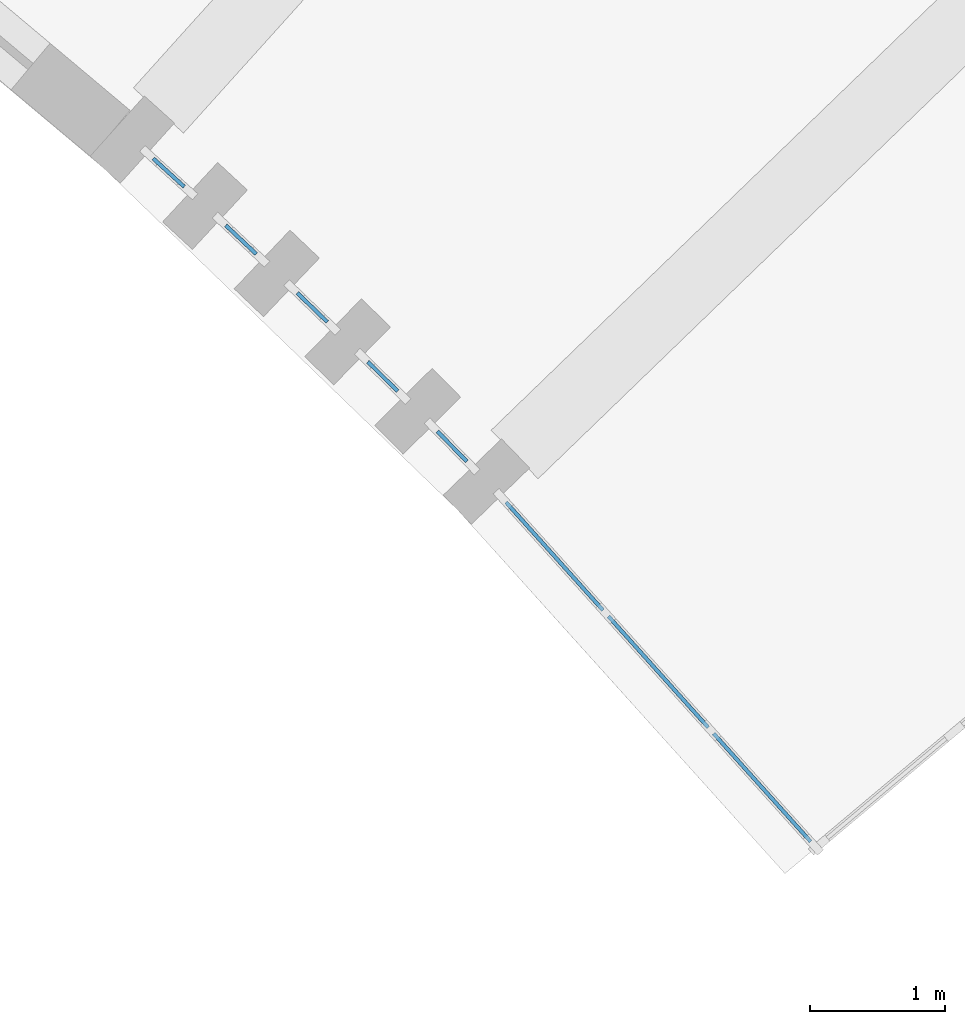
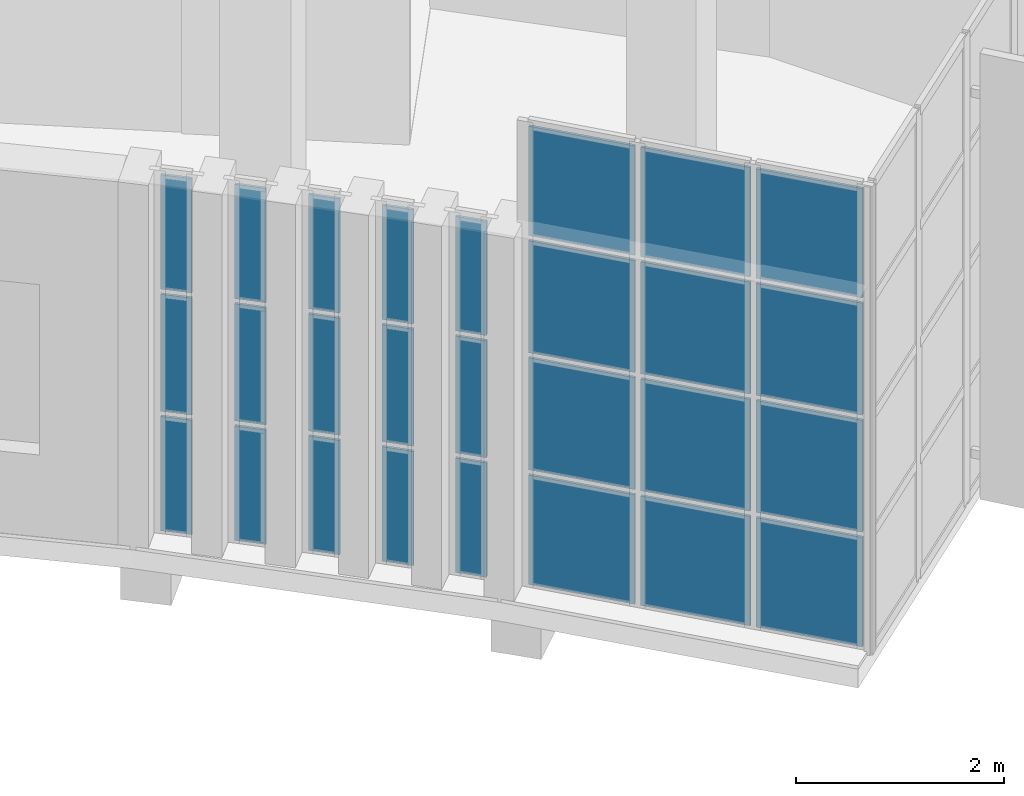
# One storey, part 42 of 112: 27 plates, 6 elements without a shape of their own.
"""IFC4 building model written with IfcOpenShell, lengths in metres."""

from ifc_helpers import new_model, si_unit, direction, frame, origin, origin_2d, place, context, subcontext, project, spatial, rectangle, extrude, material, layer, layer_set, type_object, element, aggregate, save


model = new_model("IFC4")

# Units and contexts
model_context = context("Model", 3, precision=1e-05, world=origin(), true_north=direction((0.0, 1.0)))
body_context = subcontext(model_context, "Body", "Model", "MODEL_VIEW")
ifc_project = project(units=[si_unit("LENGTHUNIT", "METRE"), si_unit("AREAUNIT", "SQUARE_METRE"), si_unit("VOLUMEUNIT", "CUBIC_METRE"), si_unit("PLANEANGLEUNIT", "RADIAN"), si_unit("MASSUNIT", "GRAM", prefix="KILO")], contexts=[model_context])

# Site, building, storey
site_placement = place(None, origin())
site = spatial("IfcSite", under=ifc_project, at=site_placement, CompositionType="ELEMENT")
building_placement = place(site_placement, origin())
building = spatial("IfcBuilding", under=site, at=building_placement, Name="Lunette Opera House", CompositionType="ELEMENT")
storey_placement = place(building_placement, frame((0.0, 0.0, 6.0)))
storey = spatial("IfcBuildingStorey", under=building, at=storey_placement, Name="L01", CompositionType="ELEMENT", Elevation=6.0)

# Curtain wall, plates
ifc_material_1 = material(Name="Aluminium", Category="aluminium")
ifc_layer_1 = layer(ifc_material_1, 0.1201171875)
ifc_layer_set_1 = layer_set([ifc_layer_1], Name="Aluminium")
curtain_wall_type_1 = type_object("IfcCurtainWallType", Name="SLOT CURTAIN WALL", PredefinedType="NOTDEFINED", material=ifc_layer_set_1)
curtain_wall_1_placement = place(storey_placement, origin())
curtain_wall_1 = element("IfcCurtainWall", 1, at=curtain_wall_1_placement, inside=storey, type_object=curtain_wall_type_1, Name="Slot Curtain Wall CS076 L01", PredefinedType="NOTDEFINED")
ifc_material_2 = material(Name="Laminated glass", Category="glass")
ifc_layer_2 = layer(ifc_material_2, 0.028076171875)
ifc_layer_set_2 = layer_set([ifc_layer_2], Name="Laminated glass")
plate_type = type_object("IfcPlateType", Name="CURTAIN PANEL LAMINATED GLASS 28", PredefinedType="CURTAIN_PANEL", material=ifc_layer_set_2)
plate_1_placement = place(storey_placement, frame((131.26611328125, 38.62109375, 0.06005859375), z_axis=(0.0, 0.0, 1.0), x_axis=(0.738887791071, -0.673828488716, 0.0)))
plate_1 = element("IfcPlate", 2, at=plate_1_placement, type_object=plate_type, Name="FC-X2152 panel 1.1", PredefinedType="CURTAIN_PANEL", context=body_context, shape_type="SweptSolid", body=[
    extrude(rectangle(XDim=0.310302734375, YDim=0.028076171875, at=origin_2d()), origin(), (0.0, 0.0, 1.0), 1.343017578125),
])
plate_2_placement = place(storey_placement, frame((131.26611328125, 38.62109375, 1.462890625), z_axis=(0.0, 0.0, 1.0), x_axis=(0.738887791071, -0.673828488716, 0.0)))
plate_2 = element("IfcPlate", 3, at=plate_2_placement, type_object=plate_type, Name="FC-X2152 panel 1.2", PredefinedType="CURTAIN_PANEL", context=body_context, shape_type="SweptSolid", body=[
    extrude(rectangle(XDim=0.310302734375, YDim=0.028076171875, at=origin_2d()), origin(), (0.0, 0.0, 1.0), 1.3740234375),
])
plate_3_placement = place(storey_placement, frame((131.26611328125, 38.62109375, 2.89697265625), z_axis=(0.0, 0.0, 1.0), x_axis=(0.738887791071, -0.673828488716, 0.0)))
plate_3 = element("IfcPlate", 4, at=plate_3_placement, type_object=plate_type, Name="FC-X2152 panel 1.3", PredefinedType="CURTAIN_PANEL", context=body_context, shape_type="SweptSolid", body=[
    extrude(rectangle(XDim=0.310302734375, YDim=0.028076171875, at=origin_2d()), origin(), (0.0, 0.0, 1.0), 1.343017578125),
])
aggregate(curtain_wall_1, [plate_1, plate_2, plate_3])

curtain_wall_2_placement = place(storey_placement, origin())
curtain_wall_2 = element("IfcCurtainWall", 5, at=curtain_wall_2_placement, inside=storey, type_object=curtain_wall_type_1, Name="Slot Curtain Wall CS077 L01", PredefinedType="NOTDEFINED")
plate_4_placement = place(storey_placement, frame((131.801513671875, 38.12451171875, 0.06005859375), z_axis=(0.0, 0.0, 1.0), x_axis=(0.727722019527, -0.685872190933, 0.0)))
plate_4 = element("IfcPlate", 6, at=plate_4_placement, type_object=plate_type, Name="FC-X2154 panel 1.1", PredefinedType="CURTAIN_PANEL", context=body_context, shape_type="SweptSolid", body=[
    extrude(rectangle(XDim=0.31005859375, YDim=0.028076171875, at=origin_2d()), origin(), (0.0, 0.0, 1.0), 1.343017578125),
])
plate_5_placement = place(storey_placement, frame((131.801513671875, 38.12451171875, 1.462890625), z_axis=(0.0, 0.0, 1.0), x_axis=(0.727722019527, -0.685872190933, 0.0)))
plate_5 = element("IfcPlate", 7, at=plate_5_placement, type_object=plate_type, Name="FC-X2154 panel 1.2", PredefinedType="CURTAIN_PANEL", context=body_context, shape_type="SweptSolid", body=[
    extrude(rectangle(XDim=0.31005859375, YDim=0.028076171875, at=origin_2d()), origin(), (0.0, 0.0, 1.0), 1.3740234375),
])
plate_6_placement = place(storey_placement, frame((131.801513671875, 38.12451171875, 2.89697265625), z_axis=(0.0, 0.0, 1.0), x_axis=(0.727722019527, -0.685872190933, 0.0)))
plate_6 = element("IfcPlate", 8, at=plate_6_placement, type_object=plate_type, Name="FC-X2154 panel 1.3", PredefinedType="CURTAIN_PANEL", context=body_context, shape_type="SweptSolid", body=[
    extrude(rectangle(XDim=0.31005859375, YDim=0.028076171875, at=origin_2d()), origin(), (0.0, 0.0, 1.0), 1.343017578125),
])
aggregate(curtain_wall_2, [plate_4, plate_5, plate_6])

curtain_wall_3_placement = place(storey_placement, origin())
curtain_wall_3 = element("IfcCurtainWall", 9, at=curtain_wall_3_placement, inside=storey, type_object=curtain_wall_type_1, Name="Slot Curtain Wall CS078 L01", PredefinedType="NOTDEFINED")
plate_7_placement = place(storey_placement, frame((132.33056640625, 37.62158203125, 0.06005859375), z_axis=(0.0, 0.0, 1.0), x_axis=(0.718639631775, -0.695382685751, 0.0)))
plate_7 = element("IfcPlate", 10, at=plate_7_placement, type_object=plate_type, Name="FC-X2156 panel 1.1", PredefinedType="CURTAIN_PANEL", context=body_context, shape_type="SweptSolid", body=[
    extrude(rectangle(XDim=0.31005859375, YDim=0.028076171875, at=origin_2d()), origin(), (0.0, 0.0, 1.0), 1.343017578125),
])
plate_8_placement = place(storey_placement, frame((132.33056640625, 37.62158203125, 1.462890625), z_axis=(0.0, 0.0, 1.0), x_axis=(0.718639631775, -0.695382685751, 0.0)))
plate_8 = element("IfcPlate", 11, at=plate_8_placement, type_object=plate_type, Name="FC-X2156 panel 1.2", PredefinedType="CURTAIN_PANEL", context=body_context, shape_type="SweptSolid", body=[
    extrude(rectangle(XDim=0.31005859375, YDim=0.028076171875, at=origin_2d()), origin(), (0.0, 0.0, 1.0), 1.3740234375),
])
plate_9_placement = place(storey_placement, frame((132.33056640625, 37.62158203125, 2.89697265625), z_axis=(0.0, 0.0, 1.0), x_axis=(0.718639631775, -0.695382685751, 0.0)))
plate_9 = element("IfcPlate", 12, at=plate_9_placement, type_object=plate_type, Name="FC-X2156 panel 1.3", PredefinedType="CURTAIN_PANEL", context=body_context, shape_type="SweptSolid", body=[
    extrude(rectangle(XDim=0.31005859375, YDim=0.028076171875, at=origin_2d()), origin(), (0.0, 0.0, 1.0), 1.343017578125),
])
aggregate(curtain_wall_3, [plate_7, plate_8, plate_9])

curtain_wall_4_placement = place(storey_placement, origin())
curtain_wall_4 = element("IfcCurtainWall", 13, at=curtain_wall_4_placement, inside=storey, type_object=curtain_wall_type_1, Name="Slot Curtain Wall CS079 L01", PredefinedType="NOTDEFINED")
plate_10_placement = place(storey_placement, frame((132.85205078125, 37.110595703125, 0.06005859375), z_axis=(0.0, 0.0, 1.0), x_axis=(0.710581444194, -0.703614959454, 0.0)))
plate_10 = element("IfcPlate", 14, at=plate_10_placement, type_object=plate_type, Name="FC-X2158 panel 1.1", PredefinedType="CURTAIN_PANEL", context=body_context, shape_type="SweptSolid", body=[
    extrude(rectangle(XDim=0.310546875, YDim=0.028076171875, at=origin_2d()), origin(), (0.0, 0.0, 1.0), 1.343017578125),
])
plate_11_placement = place(storey_placement, frame((132.85205078125, 37.110595703125, 1.462890625), z_axis=(0.0, 0.0, 1.0), x_axis=(0.710581444194, -0.703614959454, 0.0)))
plate_11 = element("IfcPlate", 15, at=plate_11_placement, type_object=plate_type, Name="FC-X2158 panel 1.2", PredefinedType="CURTAIN_PANEL", context=body_context, shape_type="SweptSolid", body=[
    extrude(rectangle(XDim=0.310546875, YDim=0.028076171875, at=origin_2d()), origin(), (0.0, 0.0, 1.0), 1.3740234375),
])
plate_12_placement = place(storey_placement, frame((132.85205078125, 37.110595703125, 2.89697265625), z_axis=(0.0, 0.0, 1.0), x_axis=(0.710581444194, -0.703614959454, 0.0)))
plate_12 = element("IfcPlate", 16, at=plate_12_placement, type_object=plate_type, Name="FC-X2158 panel 1.3", PredefinedType="CURTAIN_PANEL", context=body_context, shape_type="SweptSolid", body=[
    extrude(rectangle(XDim=0.310546875, YDim=0.028076171875, at=origin_2d()), origin(), (0.0, 0.0, 1.0), 1.343017578125),
])
aggregate(curtain_wall_4, [plate_10, plate_11, plate_12])

curtain_wall_5_placement = place(storey_placement, origin())
curtain_wall_5 = element("IfcCurtainWall", 17, at=curtain_wall_5_placement, inside=storey, type_object=curtain_wall_type_1, Name="Slot Curtain Wall CS080 L01", PredefinedType="NOTDEFINED")
plate_13_placement = place(storey_placement, frame((133.366455078125, 36.592041015625, 0.06005859375), z_axis=(0.0, 0.0, 1.0), x_axis=(0.698932947796, -0.715187202406, 0.0)))
plate_13 = element("IfcPlate", 18, at=plate_13_placement, type_object=plate_type, Name="FC-X2160 panel 1.1", PredefinedType="CURTAIN_PANEL", context=body_context, shape_type="SweptSolid", body=[
    extrude(rectangle(XDim=0.310546875, YDim=0.028076171875, at=origin_2d()), origin(), (0.0, 0.0, 1.0), 1.343017578125),
])
plate_14_placement = place(storey_placement, frame((133.366455078125, 36.592041015625, 1.462890625), z_axis=(0.0, 0.0, 1.0), x_axis=(0.698932947796, -0.715187202406, 0.0)))
plate_14 = element("IfcPlate", 19, at=plate_14_placement, type_object=plate_type, Name="FC-X2160 panel 1.2", PredefinedType="CURTAIN_PANEL", context=body_context, shape_type="SweptSolid", body=[
    extrude(rectangle(XDim=0.310546875, YDim=0.028076171875, at=origin_2d()), origin(), (0.0, 0.0, 1.0), 1.3740234375),
])
plate_15_placement = place(storey_placement, frame((133.366455078125, 36.592041015625, 2.89697265625), z_axis=(0.0, 0.0, 1.0), x_axis=(0.698932947796, -0.715187202406, 0.0)))
plate_15 = element("IfcPlate", 20, at=plate_15_placement, type_object=plate_type, Name="FC-X2160 panel 1.3", PredefinedType="CURTAIN_PANEL", context=body_context, shape_type="SweptSolid", body=[
    extrude(rectangle(XDim=0.310546875, YDim=0.028076171875, at=origin_2d()), origin(), (0.0, 0.0, 1.0), 1.343017578125),
])
aggregate(curtain_wall_5, [plate_13, plate_14, plate_15])

ifc_material_3 = material(Name="Aluminium", Category="aluminium")
ifc_layer_3 = layer(ifc_material_3, 0.159912109375)
ifc_layer_set_3 = layer_set([ifc_layer_3], Name="Aluminium")
curtain_wall_type_2 = type_object("IfcCurtainWallType", Name="CORNER CURTAIN WALL", PredefinedType="NOTDEFINED", material=ifc_layer_set_3)
curtain_wall_6_placement = place(storey_placement, origin())
curtain_wall_6 = element("IfcCurtainWall", 21, at=curtain_wall_6_placement, inside=storey, type_object=curtain_wall_type_2, Name="Corner Curtain Wall GC-E1 L01", PredefinedType="NOTDEFINED")
plate_16_placement = place(storey_placement, frame((134.125732421875, 35.777587890625, 0.06005859375), z_axis=(0.0, 0.0, 1.0), x_axis=(0.667938143615, -0.744216793887, 0.0)))
plate_16 = element("IfcPlate", 22, at=plate_16_placement, type_object=plate_type, Name="FC-X2173 panel 1.1", PredefinedType="CURTAIN_PANEL", context=body_context, shape_type="SweptSolid", body=[
    extrude(rectangle(XDim=1.07666015625, YDim=0.028076171875, at=origin_2d()), origin(), (0.0, 0.0, 1.0), 1.284912109375),
])
plate_17_placement = place(storey_placement, frame((134.125732421875, 35.777587890625, 1.405029296875), z_axis=(0.0, 0.0, 1.0), x_axis=(0.667938143615, -0.744216793887, 0.0)))
plate_17 = element("IfcPlate", 23, at=plate_17_placement, type_object=plate_type, Name="FC-X2173 panel 1.2", PredefinedType="CURTAIN_PANEL", context=body_context, shape_type="SweptSolid", body=[
    extrude(rectangle(XDim=1.07666015625, YDim=0.028076171875, at=origin_2d()), origin(), (0.0, 0.0, 1.0), 1.31494140625),
])
plate_18_placement = place(storey_placement, frame((134.125732421875, 35.777587890625, 2.780029296875), z_axis=(0.0, 0.0, 1.0), x_axis=(0.667938143615, -0.744216793887, 0.0)))
plate_18 = element("IfcPlate", 24, at=plate_18_placement, type_object=plate_type, Name="FC-X2173 panel 1.3", PredefinedType="CURTAIN_PANEL", context=body_context, shape_type="SweptSolid", body=[
    extrude(rectangle(XDim=1.07666015625, YDim=0.028076171875, at=origin_2d()), origin(), (0.0, 0.0, 1.0), 1.31494140625),
])
plate_19_placement = place(storey_placement, frame((134.125732421875, 35.777587890625, 4.1552734375), z_axis=(0.0, 0.0, 1.0), x_axis=(0.667938143615, -0.744216793887, 0.0)))
plate_19 = element("IfcPlate", 25, at=plate_19_placement, type_object=plate_type, Name="FC-X2173 panel 1.4", PredefinedType="CURTAIN_PANEL", context=body_context, shape_type="SweptSolid", body=[
    extrude(rectangle(XDim=1.07666015625, YDim=0.028076171875, at=origin_2d()), origin(), (0.0, 0.0, 1.0), 1.284912109375),
])
plate_20_placement = place(storey_placement, frame((134.89501953125, 34.92041015625, 0.06005859375), z_axis=(0.0, 0.0, 1.0), x_axis=(0.667938143615, -0.744216793887, 0.0)))
plate_20 = element("IfcPlate", 26, at=plate_20_placement, type_object=plate_type, Name="FC-X2173 panel 2.1", PredefinedType="CURTAIN_PANEL", context=body_context, shape_type="SweptSolid", body=[
    extrude(rectangle(XDim=1.106689453125, YDim=0.028076171875, at=origin_2d()), origin(), (0.0, 0.0, 1.0), 1.284912109375),
])
plate_21_placement = place(storey_placement, frame((134.89501953125, 34.92041015625, 1.405029296875), z_axis=(0.0, 0.0, 1.0), x_axis=(0.667938143615, -0.744216793887, 0.0)))
plate_21 = element("IfcPlate", 27, at=plate_21_placement, type_object=plate_type, Name="FC-X2173 panel 2.2", PredefinedType="CURTAIN_PANEL", context=body_context, shape_type="SweptSolid", body=[
    extrude(rectangle(XDim=1.106689453125, YDim=0.028076171875, at=origin_2d()), origin(), (0.0, 0.0, 1.0), 1.31494140625),
])
plate_22_placement = place(storey_placement, frame((134.89501953125, 34.92041015625, 2.780029296875), z_axis=(0.0, 0.0, 1.0), x_axis=(0.667938143615, -0.744216793887, 0.0)))
plate_22 = element("IfcPlate", 28, at=plate_22_placement, type_object=plate_type, Name="FC-X2173 panel 2.3", PredefinedType="CURTAIN_PANEL", context=body_context, shape_type="SweptSolid", body=[
    extrude(rectangle(XDim=1.106689453125, YDim=0.028076171875, at=origin_2d()), origin(), (0.0, 0.0, 1.0), 1.31494140625),
])
plate_23_placement = place(storey_placement, frame((134.89501953125, 34.92041015625, 4.1552734375), z_axis=(0.0, 0.0, 1.0), x_axis=(0.667938143615, -0.744216793887, 0.0)))
plate_23 = element("IfcPlate", 29, at=plate_23_placement, type_object=plate_type, Name="FC-X2173 panel 2.4", PredefinedType="CURTAIN_PANEL", context=body_context, shape_type="SweptSolid", body=[
    extrude(rectangle(XDim=1.106689453125, YDim=0.028076171875, at=origin_2d()), origin(), (0.0, 0.0, 1.0), 1.284912109375),
])
plate_24_placement = place(storey_placement, frame((135.664306640625, 34.063232421875, 0.06005859375), z_axis=(0.0, 0.0, 1.0), x_axis=(0.667938143615, -0.744216793887, 0.0)))
plate_24 = element("IfcPlate", 30, at=plate_24_placement, type_object=plate_type, Name="FC-X2173 panel 3.1", PredefinedType="CURTAIN_PANEL", context=body_context, shape_type="SweptSolid", body=[
    extrude(rectangle(XDim=1.07666015625, YDim=0.028076171875, at=origin_2d()), origin(), (0.0, 0.0, 1.0), 1.284912109375),
])
plate_25_placement = place(storey_placement, frame((135.664306640625, 34.063232421875, 1.405029296875), z_axis=(0.0, 0.0, 1.0), x_axis=(0.667938143615, -0.744216793887, 0.0)))
plate_25 = element("IfcPlate", 31, at=plate_25_placement, type_object=plate_type, Name="FC-X2173 panel 3.2", PredefinedType="CURTAIN_PANEL", context=body_context, shape_type="SweptSolid", body=[
    extrude(rectangle(XDim=1.07666015625, YDim=0.028076171875, at=origin_2d()), origin(), (0.0, 0.0, 1.0), 1.31494140625),
])
plate_26_placement = place(storey_placement, frame((135.664306640625, 34.063232421875, 2.780029296875), z_axis=(0.0, 0.0, 1.0), x_axis=(0.667938143615, -0.744216793887, 0.0)))
plate_26 = element("IfcPlate", 32, at=plate_26_placement, type_object=plate_type, Name="FC-X2173 panel 3.3", PredefinedType="CURTAIN_PANEL", context=body_context, shape_type="SweptSolid", body=[
    extrude(rectangle(XDim=1.07666015625, YDim=0.028076171875, at=origin_2d()), origin(), (0.0, 0.0, 1.0), 1.31494140625),
])
plate_27_placement = place(storey_placement, frame((135.664306640625, 34.063232421875, 4.1552734375), z_axis=(0.0, 0.0, 1.0), x_axis=(0.667938143615, -0.744216793887, 0.0)))
plate_27 = element("IfcPlate", 33, at=plate_27_placement, type_object=plate_type, Name="FC-X2173 panel 3.4", PredefinedType="CURTAIN_PANEL", context=body_context, shape_type="SweptSolid", body=[
    extrude(rectangle(XDim=1.07666015625, YDim=0.028076171875, at=origin_2d()), origin(), (0.0, 0.0, 1.0), 1.284912109375),
])
aggregate(curtain_wall_6, [plate_16, plate_17, plate_18, plate_19, plate_20, plate_21, plate_22, plate_23, plate_24, plate_25, plate_26, plate_27])

save(model, "model.ifc")
